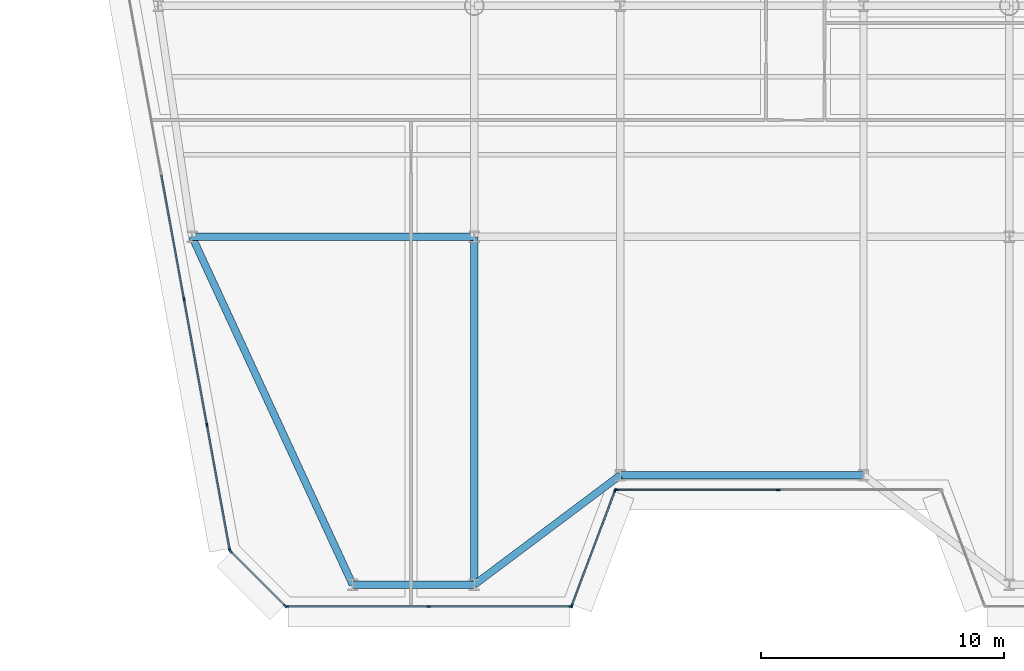
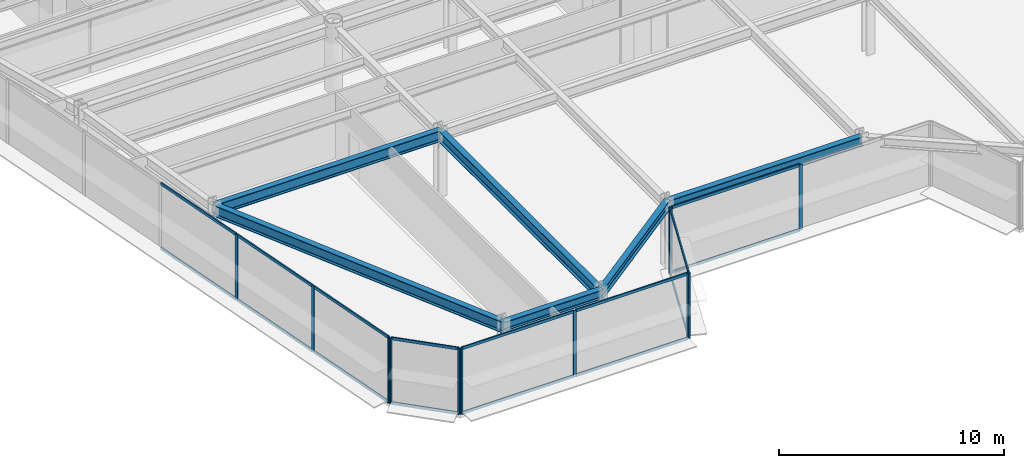
# One storey, part 2 of 17: 28 members, 6 beams, 5 elements without a shape of their own.
"""IFC4 building model written with IfcOpenShell, lengths in metres."""

from ifc_helpers import new_model, si_unit, direction, frame, origin, origin_2d, place, context, subcontext, project, spatial, rectangle, i_section, extrude, source, transform, mapped, material, layer, layer_set, material_profile, profile_set, type_object, element, aggregate, save


model = new_model("IFC4")

# Units and contexts
model_context = context("Model", 3, precision=1e-05, world=origin(), true_north=direction((0.0, 1.0)))
body_context = subcontext(model_context, "Body", "Model", "MODEL_VIEW")
ifc_project = project(units=[si_unit("LENGTHUNIT", "METRE"), si_unit("AREAUNIT", "SQUARE_METRE"), si_unit("VOLUMEUNIT", "CUBIC_METRE"), si_unit("PLANEANGLEUNIT", "RADIAN"), si_unit("MASSUNIT", "GRAM", prefix="KILO")], contexts=[model_context])

# Site, building, storey
site_placement = place(None, origin())
site = spatial("IfcSite", under=ifc_project, at=site_placement, CompositionType="ELEMENT")
building_placement = place(site_placement, origin())
building = spatial("IfcBuilding", under=site, at=building_placement, Name="Vaeldorn Concourse Tower", CompositionType="ELEMENT")
storey_placement = place(building_placement, frame((0.0, 0.0, 157.60009765625)))
storey = spatial("IfcBuildingStorey", under=building, at=storey_placement, Name="L40", CompositionType="ELEMENT", Elevation=157.60009765625)

# Beams
ifc_material_1 = material(Name="Steel S355", Category="steel")
ifc_material_profile_1 = material_profile(ifc_material_1, i_section(OverallWidth=0.300048828125, OverallDepth=0.5, WebThickness=0.014404296875, FlangeThickness=0.028076171875, FilletRadius=0.027099609375, at=origin_2d()), Name="HEB 500")
ifc_profile_set_1 = profile_set([ifc_material_profile_1], Name="Steel S355")
beam_type_1 = type_object("IfcBeamType", Name="BM-SP-HEB500", PredefinedType="SPANDREL", material=ifc_profile_set_1)
shared_shape_1 = source(origin(), body_context, "Body", "SweptSolid", [
    extrude(i_section(OverallWidth=0.300048828125, OverallDepth=0.5, WebThickness=0.014404296875, FlangeThickness=0.028076171875, FilletRadius=0.027099609375, at=origin_2d()), origin(), (0.0, 0.0, 1.0), 5.0),
])
beam_1_placement = place(storey_placement, frame((18.0, 3.699951171875, 3.329833984375), z_axis=(1.0, 0.0, 0.0), x_axis=(0.0, 1.0, 0.0)))
element("IfcBeam", 1, at=beam_1_placement, inside=storey, type_object=beam_type_1, Name="Beam BM-L40-C-SF1-C-SF2", PredefinedType="SPANDREL", context=body_context, shape_type="MappedRepresentation", body=[
    mapped(shared_shape_1, transform((0.0, 0.0, 0.0), scale=1.0)),
])
shared_shape_2 = source(origin(), body_context, "Body", "SweptSolid", [
    extrude(i_section(OverallWidth=0.300048828125, OverallDepth=0.5, WebThickness=0.014404296875, FlangeThickness=0.028076171875, FilletRadius=0.027099609375, at=origin_2d()), origin(), (0.0, 0.0, 1.0), 7.5),
])
beam_2_placement = place(storey_placement, frame((23.0, 3.699951171875, 3.329833984375), z_axis=(0.8, 0.6, 0.0), x_axis=(-0.6, 0.8, 0.0)))
element("IfcBeam", 2, at=beam_2_placement, inside=storey, type_object=beam_type_1, Name="Beam BM-L40-C-SF2-C-SF3", PredefinedType="SPANDREL", context=body_context, shape_type="MappedRepresentation", body=[
    mapped(shared_shape_2, transform((0.0, 0.0, 0.0), scale=1.0)),
])
shared_shape_3 = source(origin(), body_context, "Body", "SweptSolid", [
    extrude(i_section(OverallWidth=0.300048828125, OverallDepth=0.5, WebThickness=0.014404296875, FlangeThickness=0.028076171875, FilletRadius=0.027099609375, at=origin_2d()), origin(), (0.0, 0.0, 1.0), 10.0),
])
beam_3_placement = place(storey_placement, frame((29.0, 8.199951171875, 3.329833984375), z_axis=(1.0, 0.0, 0.0), x_axis=(0.0, 1.0, 0.0)))
element("IfcBeam", 3, at=beam_3_placement, inside=storey, type_object=beam_type_1, Name="Beam BM-L40-C-SF3-C-SF4", PredefinedType="SPANDREL", context=body_context, shape_type="MappedRepresentation", body=[
    mapped(shared_shape_3, transform((0.0, 0.0, 0.0), scale=1.0)),
])
ifc_material_profile_2 = material_profile(ifc_material_1, i_section(OverallWidth=0.300048828125, OverallDepth=0.60009765625, WebThickness=0.015380859375, FlangeThickness=0.030029296875, FilletRadius=0.027099609375, at=origin_2d()), Name="HEB 600")
ifc_profile_set_2 = profile_set([ifc_material_profile_2], Name="Steel S355")
beam_type_2 = type_object("IfcBeamType", Name="BM-PG-HEB600", PredefinedType="BEAM", material=ifc_profile_set_2)
shared_shape_4 = source(origin(), body_context, "Body", "SweptSolid", [
    extrude(i_section(OverallWidth=0.300048828125, OverallDepth=0.60009765625, WebThickness=0.015380859375, FlangeThickness=0.030029296875, FilletRadius=0.027099609375, at=origin_2d()), origin(), (0.0, 0.0, 1.0), 11.60009765625),
])
beam_4_placement = place(storey_placement, frame((11.39990234375, 18.0, 3.27978515625), z_axis=(1.0, 0.0, 0.0), x_axis=(0.0, 1.0, 0.0)))
element("IfcBeam", 4, at=beam_4_placement, inside=storey, type_object=beam_type_2, Name="Beam BM-L40-C-FLW2-C-TW5", PredefinedType="BEAM", context=body_context, shape_type="MappedRepresentation", body=[
    mapped(shared_shape_4, transform((0.0, 0.0, 0.0), scale=1.0)),
])
shared_shape_5 = source(origin(), body_context, "Body", "SweptSolid", [
    extrude(i_section(OverallWidth=0.300048828125, OverallDepth=0.60009765625, WebThickness=0.015380859375, FlangeThickness=0.030029296875, FilletRadius=0.027099609375, at=origin_2d()), origin(), (0.0, 0.0, 1.0), 15.749755859375),
])
beam_5_placement = place(storey_placement, frame((18.0, 3.699951171875, 3.27978515625), z_axis=(-0.419062109495, 0.907957569706, 0.0), x_axis=(-0.907957569706, -0.419062109495, 0.0)))
element("IfcBeam", 5, at=beam_5_placement, inside=storey, type_object=beam_type_2, Name="Beam BM-L40-C-SF1-C-FLW2", PredefinedType="BEAM", context=body_context, shape_type="MappedRepresentation", body=[
    mapped(shared_shape_5, transform((0.0, 0.0, 0.0), scale=1.0)),
])
shared_shape_6 = source(origin(), body_context, "Body", "SweptSolid", [
    extrude(i_section(OverallWidth=0.300048828125, OverallDepth=0.60009765625, WebThickness=0.015380859375, FlangeThickness=0.030029296875, FilletRadius=0.027099609375, at=origin_2d()), origin(), (0.0, 0.0, 1.0), 14.300048828125),
])
beam_6_placement = place(storey_placement, frame((23.0, 3.699951171875, 3.27978515625), z_axis=(0.0, 1.0, 0.0), x_axis=(-1.0, 0.0, 0.0)))
element("IfcBeam", 6, at=beam_6_placement, inside=storey, type_object=beam_type_2, Name="Beam BM-L40-C-SF2-C-TW5", PredefinedType="BEAM", context=body_context, shape_type="MappedRepresentation", body=[
    mapped(shared_shape_6, transform((0.0, 0.0, 0.0), scale=1.0)),
])

# Curtain wall, members
ifc_material_2 = material(Name="Anodised Bronze Aluminium", Category="aluminium")
ifc_layer = layer(ifc_material_2, 0.18994140625)
ifc_layer_set = layer_set([ifc_layer], Name="Anodised Bronze Aluminium")
curtain_wall_type = type_object("IfcCurtainWallType", Name="CW-SYS-03", PredefinedType="NOTDEFINED", material=ifc_layer_set)
curtain_wall_1_placement = place(storey_placement, origin())
curtain_wall_1 = element("IfcCurtainWall", 7, at=curtain_wall_1_placement, inside=storey, type_object=curtain_wall_type, Name="Unitised Curtain Wall CW-L40-E01-1", PredefinedType="NOTDEFINED")
ifc_material_profile_3 = material_profile(ifc_material_2, rectangle(XDim=0.06494140625, YDim=0.169921875, at=origin_2d()), Name="CWM 65x170")
ifc_profile_set_3 = profile_set([ifc_material_profile_3], Name="Anodised Bronze Aluminium")
member_type_1 = type_object("IfcMemberType", Name="CWM-BRONZE-170", PredefinedType="MULLION", material=ifc_profile_set_3)
shared_shape_7 = source(origin(), body_context, "Body", "SweptSolid", [
    extrude(rectangle(XDim=0.06494140625, YDim=0.169921875, at=origin_2d()), origin(), (0.0, 0.0, 1.0), 3.579833984375),
])
member_1_placement = place(storey_placement, frame((15.285400390625, 2.800048828125, 0.0), z_axis=(0.0, 0.0, 1.0), x_axis=(0.0, 1.0, 0.0)))
member_1 = element("IfcMember", 8, at=member_1_placement, type_object=member_type_1, Name="CW-03 mullion 1", PredefinedType="MULLION", context=body_context, shape_type="MappedRepresentation", body=[
    mapped(shared_shape_7, transform((0.0, 0.0, 0.0), scale=1.0)),
])
member_2_placement = place(storey_placement, frame((21.12646484375, 2.800048828125, 0.0), z_axis=(0.0, 0.0, 1.0), x_axis=(0.0, 1.0, 0.0)))
member_2 = element("IfcMember", 9, at=member_2_placement, type_object=member_type_1, Name="CW-03 mullion 2", PredefinedType="MULLION", context=body_context, shape_type="MappedRepresentation", body=[
    mapped(shared_shape_7, transform((0.0, 0.0, 0.0), scale=1.0)),
])
member_3_placement = place(storey_placement, frame((26.967529296875, 2.800048828125, 0.0), z_axis=(0.0, 0.0, 1.0), x_axis=(0.0, 1.0, 0.0)))
member_3 = element("IfcMember", 10, at=member_3_placement, type_object=member_type_1, Name="CW-03 mullion 3", PredefinedType="MULLION", context=body_context, shape_type="MappedRepresentation", body=[
    mapped(shared_shape_7, transform((0.0, 0.0, 0.0), scale=1.0)),
])

curtain_wall_2_placement = place(storey_placement, origin())
curtain_wall_2 = element("IfcCurtainWall", 11, at=curtain_wall_2_placement, inside=storey, type_object=curtain_wall_type, Name="Unitised Curtain Wall CW-L40-E02-1", PredefinedType="NOTDEFINED")
member_4_placement = place(storey_placement, frame((27.011474609375, 2.830322265625, 0.0), z_axis=(0.0, 0.0, 1.0), x_axis=(-0.936329177566, 0.351123441595, 0.0)))
member_4 = element("IfcMember", 12, at=member_4_placement, type_object=member_type_1, Name="CW-03 mullion 1", PredefinedType="MULLION", context=body_context, shape_type="MappedRepresentation", body=[
    mapped(shared_shape_7, transform((0.0, 0.0, 0.0), scale=1.0)),
])
member_5_placement = place(storey_placement, frame((28.78857421875, 7.569580078125, 0.0), z_axis=(0.0, 0.0, 1.0), x_axis=(-0.936329177566, 0.351123441595, 0.0)))
member_5 = element("IfcMember", 13, at=member_5_placement, type_object=member_type_1, Name="CW-03 mullion 2", PredefinedType="MULLION", context=body_context, shape_type="MappedRepresentation", body=[
    mapped(shared_shape_7, transform((0.0, 0.0, 0.0), scale=1.0)),
])

curtain_wall_3_placement = place(storey_placement, origin())
curtain_wall_3 = element("IfcCurtainWall", 14, at=curtain_wall_3_placement, inside=storey, type_object=curtain_wall_type, Name="Unitised Curtain Wall CW-L40-E03-1", PredefinedType="NOTDEFINED")
member_6_placement = place(storey_placement, frame((28.83251953125, 7.60009765625, 0.0), z_axis=(0.0, 0.0, 1.0), x_axis=(0.0, 1.0, 0.0)))
member_6 = element("IfcMember", 15, at=member_6_placement, type_object=member_type_1, Name="CW-03 mullion 1", PredefinedType="MULLION", context=body_context, shape_type="MappedRepresentation", body=[
    mapped(shared_shape_7, transform((0.0, 0.0, 0.0), scale=1.0)),
])
member_7_placement = place(storey_placement, frame((35.5, 7.60009765625, 0.0), z_axis=(0.0, 0.0, 1.0), x_axis=(0.0, 1.0, 0.0)))
member_7 = element("IfcMember", 16, at=member_7_placement, type_object=member_type_1, Name="CW-03 mullion 2", PredefinedType="MULLION", context=body_context, shape_type="MappedRepresentation", body=[
    mapped(shared_shape_7, transform((0.0, 0.0, 0.0), scale=1.0)),
])

curtain_wall_4_placement = place(storey_placement, origin())
curtain_wall_4 = element("IfcCurtainWall", 17, at=curtain_wall_4_placement, inside=storey, type_object=curtain_wall_type, Name="Unitised Curtain Wall CW-L40-E11-2", PredefinedType="NOTDEFINED")
member_8_placement = place(storey_placement, frame((11.069091796875, 15.427734375, 0.0), z_axis=(0.0, 0.0, 1.0), x_axis=(0.983767841325, 0.179445909331, 0.0)))
member_8 = element("IfcMember", 18, at=member_8_placement, type_object=member_type_1, Name="CW-03 mullion 5", PredefinedType="MULLION", context=body_context, shape_type="MappedRepresentation", body=[
    mapped(shared_shape_7, transform((0.0, 0.0, 0.0), scale=1.0)),
])
member_9_placement = place(storey_placement, frame((12.010986328125, 10.263916015625, 0.0), z_axis=(0.0, 0.0, 1.0), x_axis=(0.983767841325, 0.179445909331, 0.0)))
member_9 = element("IfcMember", 19, at=member_9_placement, type_object=member_type_1, Name="CW-03 mullion 6", PredefinedType="MULLION", context=body_context, shape_type="MappedRepresentation", body=[
    mapped(shared_shape_7, transform((0.0, 0.0, 0.0), scale=1.0)),
])
member_10_placement = place(storey_placement, frame((12.947265625, 5.132080078125, 0.0), z_axis=(0.0, 0.0, 1.0), x_axis=(0.983767841325, 0.179445909331, 0.0)))
member_10 = element("IfcMember", 20, at=member_10_placement, type_object=member_type_1, Name="CW-03 mullion 7", PredefinedType="MULLION", context=body_context, shape_type="MappedRepresentation", body=[
    mapped(shared_shape_7, transform((0.0, 0.0, 0.0), scale=1.0)),
])

curtain_wall_5_placement = place(storey_placement, origin())
curtain_wall_5 = element("IfcCurtainWall", 21, at=curtain_wall_5_placement, inside=storey, type_object=curtain_wall_type, Name="Unitised Curtain Wall CW-L40-E12-1", PredefinedType="NOTDEFINED")
member_11_placement = place(storey_placement, frame((12.97607421875, 5.076904296875, 0.0), z_axis=(0.0, 0.0, 1.0), x_axis=(0.707106781187, 0.707106781187, 0.0)))
member_11 = element("IfcMember", 22, at=member_11_placement, type_object=member_type_1, Name="CW-03 mullion 1", PredefinedType="MULLION", context=body_context, shape_type="MappedRepresentation", body=[
    mapped(shared_shape_7, transform((0.0, 0.0, 0.0), scale=1.0)),
])
member_12_placement = place(storey_placement, frame((15.22998046875, 2.822998046875, 0.0), z_axis=(0.0, 0.0, 1.0), x_axis=(0.707106781187, 0.707106781187, 0.0)))
member_12 = element("IfcMember", 23, at=member_12_placement, type_object=member_type_1, Name="CW-03 mullion 2", PredefinedType="MULLION", context=body_context, shape_type="MappedRepresentation", body=[
    mapped(shared_shape_7, transform((0.0, 0.0, 0.0), scale=1.0)),
])

# Member
ifc_material_profile_4 = material_profile(ifc_material_2, rectangle(XDim=0.06494140625, YDim=0.14990234375, at=origin_2d()), Name="CWT 65x150")
ifc_profile_set_4 = profile_set([ifc_material_profile_4], Name="Anodised Bronze Aluminium")
member_type_2 = type_object("IfcMemberType", Name="CWT-BRONZE-150", PredefinedType="USERDEFINED", material=ifc_profile_set_4)
shared_shape_8 = source(origin(), body_context, "Body", "SweptSolid", [
    extrude(rectangle(XDim=0.06494140625, YDim=0.14990234375, at=origin_2d()), origin(), (0.0, 0.0, 1.0), 4.996337890625),
])
member_13_placement = place(storey_placement, frame((27.022705078125, 2.86083984375, 0.032470703125), z_axis=(0.351134151405, 0.936325161318, 0.0), x_axis=(-0.936325161318, 0.351134151405, 0.0)))
member_13 = element("IfcMember", 24, at=member_13_placement, type_object=member_type_2, Name="CW-03 transom 1.1", ObjectType="TRANSOM", PredefinedType="USERDEFINED", context=body_context, shape_type="MappedRepresentation", body=[
    mapped(shared_shape_8, transform((0.0, 0.0, 0.0), scale=1.0)),
])

member_14_placement = place(storey_placement, frame((27.022705078125, 2.86083984375, 3.54736328125), z_axis=(0.351134151405, 0.936325161318, 0.0), x_axis=(-0.936325161318, 0.351134151405, 0.0)))
member_14 = element("IfcMember", 25, at=member_14_placement, type_object=member_type_2, Name="CW-03 transom 1.2", ObjectType="TRANSOM", PredefinedType="USERDEFINED", context=body_context, shape_type="MappedRepresentation", body=[
    mapped(shared_shape_8, transform((0.0, 0.0, 0.0), scale=1.0)),
])

aggregate(curtain_wall_2, [member_4, member_5, member_13, member_14])

shared_shape_9 = source(origin(), body_context, "Body", "SweptSolid", [
    extrude(rectangle(XDim=0.06494140625, YDim=0.14990234375, at=origin_2d()), origin(), (0.0, 0.0, 1.0), 6.6025390625),
])
member_15_placement = place(storey_placement, frame((28.864990234375, 7.60009765625, 0.032470703125), z_axis=(1.0, 0.0, 0.0), x_axis=(0.0, 1.0, 0.0)))
member_15 = element("IfcMember", 26, at=member_15_placement, type_object=member_type_2, Name="CW-03 transom 1.1", ObjectType="TRANSOM", PredefinedType="USERDEFINED", context=body_context, shape_type="MappedRepresentation", body=[
    mapped(shared_shape_9, transform((0.0, 0.0, 0.0), scale=1.0)),
])

member_16_placement = place(storey_placement, frame((28.864990234375, 7.60009765625, 3.54736328125), z_axis=(1.0, 0.0, 0.0), x_axis=(0.0, 1.0, 0.0)))
member_16 = element("IfcMember", 27, at=member_16_placement, type_object=member_type_2, Name="CW-03 transom 1.2", ObjectType="TRANSOM", PredefinedType="USERDEFINED", context=body_context, shape_type="MappedRepresentation", body=[
    mapped(shared_shape_9, transform((0.0, 0.0, 0.0), scale=1.0)),
])

aggregate(curtain_wall_3, [member_6, member_7, member_15, member_16])

shared_shape_10 = source(origin(), body_context, "Body", "SweptSolid", [
    extrude(rectangle(XDim=0.06494140625, YDim=0.14990234375, at=origin_2d()), origin(), (0.0, 0.0, 1.0), 3.12255859375),
])
member_17_placement = place(storey_placement, frame((12.9990234375, 5.053955078125, 0.032470703125), z_axis=(0.707106781187, -0.707106781187, 0.0), x_axis=(0.707106781187, 0.707106781187, 0.0)))
member_17 = element("IfcMember", 28, at=member_17_placement, type_object=member_type_2, Name="CW-03 transom 1.1", ObjectType="TRANSOM", PredefinedType="USERDEFINED", context=body_context, shape_type="MappedRepresentation", body=[
    mapped(shared_shape_10, transform((0.0, 0.0, 0.0), scale=1.0)),
])

member_18_placement = place(storey_placement, frame((12.9990234375, 5.053955078125, 3.54736328125), z_axis=(0.707106781187, -0.707106781187, 0.0), x_axis=(0.707106781187, 0.707106781187, 0.0)))
member_18 = element("IfcMember", 29, at=member_18_placement, type_object=member_type_2, Name="CW-03 transom 1.2", ObjectType="TRANSOM", PredefinedType="USERDEFINED", context=body_context, shape_type="MappedRepresentation", body=[
    mapped(shared_shape_10, transform((0.0, 0.0, 0.0), scale=1.0)),
])

aggregate(curtain_wall_5, [member_11, member_12, member_17, member_18])

shared_shape_11 = source(origin(), body_context, "Body", "SweptSolid", [
    extrude(rectangle(XDim=0.06494140625, YDim=0.14990234375, at=origin_2d()), origin(), (0.0, 0.0, 1.0), 5.77587890625),
])
member_19_placement = place(storey_placement, frame((15.318115234375, 2.800048828125, 0.032470703125), z_axis=(1.0, 0.0, 0.0), x_axis=(0.0, 1.0, 0.0)))
member_19 = element("IfcMember", 30, at=member_19_placement, type_object=member_type_2, Name="CW-03 transom 1.1", ObjectType="TRANSOM", PredefinedType="USERDEFINED", context=body_context, shape_type="MappedRepresentation", body=[
    mapped(shared_shape_11, transform((0.0, 0.0, 0.0), scale=1.0)),
])

member_20_placement = place(storey_placement, frame((15.318115234375, 2.800048828125, 3.54736328125), z_axis=(1.0, 0.0, 0.0), x_axis=(0.0, 1.0, 0.0)))
member_20 = element("IfcMember", 31, at=member_20_placement, type_object=member_type_2, Name="CW-03 transom 1.2", ObjectType="TRANSOM", PredefinedType="USERDEFINED", context=body_context, shape_type="MappedRepresentation", body=[
    mapped(shared_shape_11, transform((0.0, 0.0, 0.0), scale=1.0)),
])

shared_shape_12 = source(origin(), body_context, "Body", "SweptSolid", [
    extrude(rectangle(XDim=0.06494140625, YDim=0.14990234375, at=origin_2d()), origin(), (0.0, 0.0, 1.0), 5.776123046875),
])
member_21_placement = place(storey_placement, frame((21.158935546875, 2.800048828125, 0.032470703125), z_axis=(1.0, 0.0, 0.0), x_axis=(0.0, 1.0, 0.0)))
member_21 = element("IfcMember", 32, at=member_21_placement, type_object=member_type_2, Name="CW-03 transom 2.1", ObjectType="TRANSOM", PredefinedType="USERDEFINED", context=body_context, shape_type="MappedRepresentation", body=[
    mapped(shared_shape_12, transform((0.0, 0.0, 0.0), scale=1.0)),
])

member_22_placement = place(storey_placement, frame((21.158935546875, 2.800048828125, 3.54736328125), z_axis=(1.0, 0.0, 0.0), x_axis=(0.0, 1.0, 0.0)))
member_22 = element("IfcMember", 33, at=member_22_placement, type_object=member_type_2, Name="CW-03 transom 2.2", ObjectType="TRANSOM", PredefinedType="USERDEFINED", context=body_context, shape_type="MappedRepresentation", body=[
    mapped(shared_shape_12, transform((0.0, 0.0, 0.0), scale=1.0)),
])

aggregate(curtain_wall_1, [member_1, member_2, member_3, member_19, member_20, member_21, member_22])

shared_shape_13 = source(origin(), body_context, "Body", "SweptSolid", [
    extrude(rectangle(XDim=0.06494140625, YDim=0.14990234375, at=origin_2d()), origin(), (0.0, 0.0, 1.0), 5.151611328125),
])
member_23_placement = place(storey_placement, frame((12.016845703125, 10.23193359375, 0.032470703125), z_axis=(0.179473445995, -0.983762818053, 0.0), x_axis=(0.983762818053, 0.179473445995, 0.0)))
member_23 = element("IfcMember", 34, at=member_23_placement, type_object=member_type_2, Name="CW-03 transom 6.1", ObjectType="TRANSOM", PredefinedType="USERDEFINED", context=body_context, shape_type="MappedRepresentation", body=[
    mapped(shared_shape_13, transform((0.0, 0.0, 0.0), scale=1.0)),
])

member_24_placement = place(storey_placement, frame((12.016845703125, 10.23193359375, 3.54736328125), z_axis=(0.179473445995, -0.983762818053, 0.0), x_axis=(0.983762818053, 0.179473445995, 0.0)))
member_24 = element("IfcMember", 35, at=member_24_placement, type_object=member_type_2, Name="CW-03 transom 6.2", ObjectType="TRANSOM", PredefinedType="USERDEFINED", context=body_context, shape_type="MappedRepresentation", body=[
    mapped(shared_shape_13, transform((0.0, 0.0, 0.0), scale=1.0)),
])

shared_shape_14 = source(origin(), body_context, "Body", "SweptSolid", [
    extrude(rectangle(XDim=0.06494140625, YDim=0.14990234375, at=origin_2d()), origin(), (0.0, 0.0, 1.0), 5.18408203125),
])
member_25_placement = place(storey_placement, frame((11.074951171875, 15.395751953125, 0.032470703125), z_axis=(0.179432467646, -0.983770293084, 0.0), x_axis=(0.983770293084, 0.179432467646, 0.0)))
member_25 = element("IfcMember", 36, at=member_25_placement, type_object=member_type_2, Name="CW-03 transom 5.1", ObjectType="TRANSOM", PredefinedType="USERDEFINED", context=body_context, shape_type="MappedRepresentation", body=[
    mapped(shared_shape_14, transform((0.0, 0.0, 0.0), scale=1.0)),
])

member_26_placement = place(storey_placement, frame((11.074951171875, 15.395751953125, 3.54736328125), z_axis=(0.179432467646, -0.983770293084, 0.0), x_axis=(0.983770293084, 0.179432467646, 0.0)))
member_26 = element("IfcMember", 37, at=member_26_placement, type_object=member_type_2, Name="CW-03 transom 5.2", ObjectType="TRANSOM", PredefinedType="USERDEFINED", context=body_context, shape_type="MappedRepresentation", body=[
    mapped(shared_shape_14, transform((0.0, 0.0, 0.0), scale=1.0)),
])

shared_shape_15 = source(origin(), body_context, "Body", "SweptSolid", [
    extrude(rectangle(XDim=0.06494140625, YDim=0.14990234375, at=origin_2d()), origin(), (0.0, 0.0, 1.0), 5.184326171875),
])
member_27_placement = place(storey_placement, frame((10.133056640625, 20.559814453125, 0.032470703125), z_axis=(0.179424154775, -0.983771809254, 0.0), x_axis=(0.983771809254, 0.179424154775, 0.0)))
member_27 = element("IfcMember", 38, at=member_27_placement, type_object=member_type_2, Name="CW-03 transom 4.1", ObjectType="TRANSOM", PredefinedType="USERDEFINED", context=body_context, shape_type="MappedRepresentation", body=[
    mapped(shared_shape_15, transform((0.0, 0.0, 0.0), scale=1.0)),
])

member_28_placement = place(storey_placement, frame((10.133056640625, 20.559814453125, 3.54736328125), z_axis=(0.179424154775, -0.983771809254, 0.0), x_axis=(0.983771809254, 0.179424154775, 0.0)))
member_28 = element("IfcMember", 39, at=member_28_placement, type_object=member_type_2, Name="CW-03 transom 4.2", ObjectType="TRANSOM", PredefinedType="USERDEFINED", context=body_context, shape_type="MappedRepresentation", body=[
    mapped(shared_shape_15, transform((0.0, 0.0, 0.0), scale=1.0)),
])

aggregate(curtain_wall_4, [member_8, member_9, member_10, member_27, member_28, member_25, member_26, member_23, member_24])

save(model, "model.ifc")
